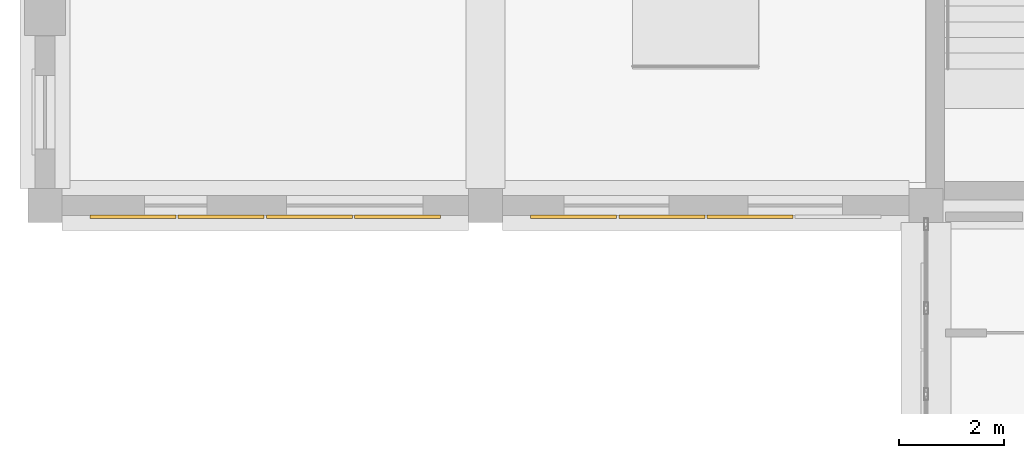
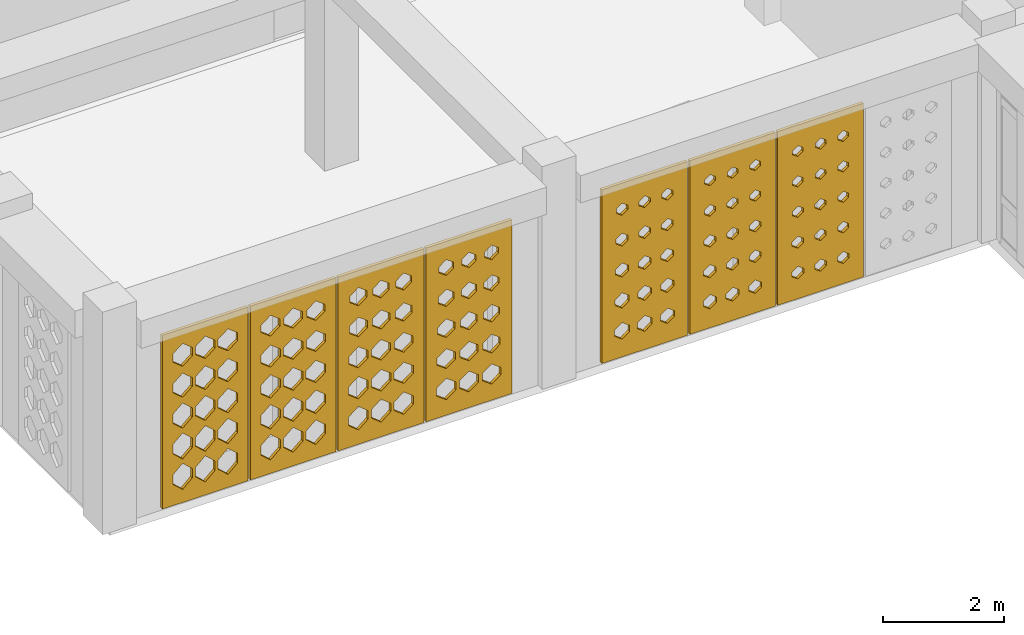
# One storey, part 52 of 79: 7 coverings.
"""IFC4 building model written with IfcOpenShell, lengths in metres."""

from ifc_helpers import new_model, si_unit, derived_unit, direction, frame, origin, place, context, subcontext, project, spatial, polyline, outline, extrude, material, layer, layer_set, type_object, element, save


model = new_model("IFC4")

# Units and contexts
model_context = context("Model", 3, precision=1e-05, world=origin(), true_north=direction((0.0, 1.0)))
body_context = subcontext(model_context, "Body", "Model", "MODEL_VIEW")
ifc_project = project(units=[si_unit("LENGTHUNIT", "METRE"), si_unit("AREAUNIT", "SQUARE_METRE"), si_unit("VOLUMEUNIT", "CUBIC_METRE"), si_unit("PLANEANGLEUNIT", "RADIAN"), si_unit("MASSUNIT", "GRAM", prefix="KILO"), derived_unit("THERMALTRANSMITTANCEUNIT", [(si_unit("POWERUNIT", "WATT"), 1), (si_unit("LENGTHUNIT", "METRE"), -2), (si_unit("THERMODYNAMICTEMPERATUREUNIT", "KELVIN"), -1)])], contexts=[model_context])

# Site, building, storey
site_placement = place(None, origin())
site = spatial("IfcSite", under=ifc_project, at=site_placement, CompositionType="ELEMENT")
building_placement = place(site_placement, origin())
building = spatial("IfcBuilding", under=site, at=building_placement, Name="Veybourne Emporium", CompositionType="ELEMENT")
storey_placement = place(building_placement, frame((0.0, 0.0, 18.89990234375)))
storey = spatial("IfcBuildingStorey", under=building, at=storey_placement, Name="L04", CompositionType="ELEMENT", Elevation=18.89990234375)

# Coverings
ifc_material = material(Name="Warm-White Perforated Aluminium Screen Alloy", Category="aluminium")
ifc_layer_1 = layer(ifc_material, 0.06005859375)
ifc_layer_set_1 = layer_set([ifc_layer_1], Name="Warm-White Perforated Aluminium Screen Alloy")
covering_type_1 = type_object("IfcCoveringType", Name="WaveScreen_SCR-01", PredefinedType="CLADDING", material=ifc_layer_set_1)
covering_1_placement = place(storey_placement, frame((3.360107421875, 14.15185546875, 1.815185546875), z_axis=(0.0, 1.0, 0.0), x_axis=(-1.0, 0.0, 0.0)))
element("IfcCovering", 1, at=covering_1_placement, inside=storey, type_object=covering_type_1, Name="L04 wave-perforated aluminium screen SCR-01 (1.3)", PredefinedType="CLADDING", context=body_context, shape_type="SweptSolid", body=[
    extrude(outline(polyline([(-0.81982421875, -1.7548828125), (0.81982421875, -1.7548828125), (0.81982421875, 1.7548828125), (-0.81982421875, 1.7548828125), (-0.81982421875, -1.7548828125)]), holes=[polyline([(-0.433349609375, -0.980224609375), (-0.2470703125, -1.138916015625), (-0.2470703125, -1.317138671875), (-0.433349609375, -1.4755859375), (-0.61962890625, -1.317138671875), (-0.61962890625, -1.138916015625), (-0.433349609375, -0.980224609375)]), polyline([(-0.433349609375, -0.377685546875), (-0.2470703125, -0.52880859375), (-0.2470703125, -0.69921875), (-0.433349609375, -0.850341796875), (-0.61962890625, -0.69921875), (-0.61962890625, -0.52880859375), (-0.433349609375, -0.377685546875)]), polyline([(-0.433349609375, 0.223876953125), (-0.2470703125, 0.08056640625), (-0.2470703125, -0.08056640625), (-0.433349609375, -0.223876953125), (-0.61962890625, -0.08056640625), (-0.61962890625, 0.08056640625), (-0.433349609375, 0.223876953125)]), polyline([(-0.433349609375, 0.82421875), (-0.251220703125, 0.689697265625), (-0.251220703125, 0.538330078125), (-0.433349609375, 0.40380859375), (-0.615478515625, 0.538330078125), (-0.615478515625, 0.689697265625), (-0.433349609375, 0.82421875)]), polyline([(-0.433349609375, 1.42431640625), (-0.2626953125, 1.298583984375), (-0.2626953125, 1.157470703125), (-0.433349609375, 1.03173828125), (-0.60400390625, 1.157470703125), (-0.60400390625, 1.298583984375), (-0.433349609375, 1.42431640625)]), polyline([(0.0, -0.9755859375), (0.186279296875, -1.13720703125), (0.186279296875, -1.31884765625), (0.0, -1.480224609375), (-0.186279296875, -1.31884765625), (-0.186279296875, -1.13720703125), (0.0, -0.9755859375)]), polyline([(0.0, -0.372314453125), (0.186279296875, -0.527099609375), (0.186279296875, -0.700927734375), (0.0, -0.855712890625), (-0.186279296875, -0.700927734375), (-0.186279296875, -0.527099609375), (0.0, -0.372314453125)]), polyline([(0.0, 0.2294921875), (0.186279296875, 0.082763671875), (0.186279296875, -0.082763671875), (0.0, -0.2294921875), (-0.186279296875, -0.082763671875), (-0.186279296875, 0.082763671875), (0.0, 0.2294921875)]), polyline([(0.0, 0.83056640625), (0.186279296875, 0.69189453125), (0.186279296875, 0.5361328125), (0.0, 0.3974609375), (-0.186279296875, 0.5361328125), (-0.186279296875, 0.69189453125), (0.0, 0.83056640625)]), polyline([(0.0, 1.4306640625), (0.17578125, 1.30078125), (0.17578125, 1.155029296875), (0.0, 1.025390625), (-0.17578125, 1.155029296875), (-0.17578125, 1.30078125), (0.0, 1.4306640625)]), polyline([(0.433349609375, -0.971435546875), (0.61962890625, -1.135498046875), (0.61962890625, -1.3203125), (0.433349609375, -1.484619140625), (0.2470703125, -1.3203125), (0.2470703125, -1.135498046875), (0.433349609375, -0.971435546875)]), polyline([(0.433349609375, -0.3671875), (0.61962890625, -0.525146484375), (0.61962890625, -0.702880859375), (0.433349609375, -0.860595703125), (0.2470703125, -0.702880859375), (0.2470703125, -0.525146484375), (0.433349609375, -0.3671875)]), polyline([(0.433349609375, 0.2353515625), (0.61962890625, 0.084716796875), (0.61962890625, -0.084716796875), (0.433349609375, -0.2353515625), (0.2470703125, -0.084716796875), (0.2470703125, 0.084716796875), (0.433349609375, 0.2353515625)]), polyline([(0.433349609375, 0.836669921875), (0.61962890625, 0.694091796875), (0.61962890625, 0.533935546875), (0.433349609375, 0.391357421875), (0.2470703125, 0.533935546875), (0.2470703125, 0.694091796875), (0.433349609375, 0.836669921875)]), polyline([(0.433349609375, 1.43701171875), (0.6142578125, 1.30322265625), (0.6142578125, 1.15283203125), (0.433349609375, 1.01904296875), (0.252197265625, 1.15283203125), (0.252197265625, 1.30322265625), (0.433349609375, 1.43701171875)])]), origin(), (0.0, 0.0, 1.0), 0.06005859375),
])
covering_2_placement = place(storey_placement, frame((10.080078125, 14.15185546875, 1.815185546875), z_axis=(0.0, 1.0, 0.0), x_axis=(-1.0, 0.0, 0.0)))
element("IfcCovering", 2, at=covering_2_placement, inside=storey, type_object=covering_type_1, Name="L04 wave-perforated aluminium screen SCR-01 (8.4)", PredefinedType="CLADDING", context=body_context, shape_type="SweptSolid", body=[
    extrude(outline(polyline([(-0.81982421875, -1.7548828125), (0.81982421875, -1.7548828125), (0.81982421875, 1.7548828125), (-0.81982421875, 1.7548828125), (-0.81982421875, -1.7548828125)]), holes=[polyline([(-0.433349609375, -1.073486328125), (-0.296875, -1.17236328125), (-0.296875, -1.28369140625), (-0.433349609375, -1.382568359375), (-0.56982421875, -1.28369140625), (-0.56982421875, -1.17236328125), (-0.433349609375, -1.073486328125)]), polyline([(-0.433349609375, -0.47119140625), (-0.306640625, -0.5625), (-0.306640625, -0.665283203125), (-0.433349609375, -0.756591796875), (-0.56005859375, -0.665283203125), (-0.56005859375, -0.5625), (-0.433349609375, -0.47119140625)]), polyline([(-0.433349609375, 0.132080078125), (-0.315185546875, 0.047607421875), (-0.315185546875, -0.047607421875), (-0.433349609375, -0.132080078125), (-0.551513671875, -0.047607421875), (-0.551513671875, 0.047607421875), (-0.433349609375, 0.132080078125)]), polyline([(-0.433349609375, 0.7373046875), (-0.322509765625, 0.658447265625), (-0.322509765625, 0.569580078125), (-0.433349609375, 0.490478515625), (-0.544189453125, 0.569580078125), (-0.544189453125, 0.658447265625), (-0.433349609375, 0.7373046875)]), polyline([(-0.433349609375, 1.3447265625), (-0.327880859375, 1.27001953125), (-0.327880859375, 1.18603515625), (-0.433349609375, 1.111328125), (-0.538818359375, 1.18603515625), (-0.538818359375, 1.27001953125), (-0.433349609375, 1.3447265625)]), polyline([(0.0, -1.0673828125), (0.141357421875, -1.170166015625), (0.141357421875, -1.285888671875), (0.0, -1.388427734375), (-0.141357421875, -1.285888671875), (-0.141357421875, -1.170166015625), (0.0, -1.0673828125)]), polyline([(0.0, -0.466064453125), (0.131103515625, -0.560791015625), (0.131103515625, -0.667236328125), (0.0, -0.761962890625), (-0.131103515625, -0.667236328125), (-0.131103515625, -0.560791015625), (0.0, -0.466064453125)]), polyline([(0.0, 0.13671875), (0.121826171875, 0.04931640625), (0.121826171875, -0.04931640625), (0.0, -0.13671875), (-0.121826171875, -0.04931640625), (-0.121826171875, 0.04931640625), (0.0, 0.13671875)]), polyline([(0.0, 0.7412109375), (0.114013671875, 0.659912109375), (0.114013671875, 0.568115234375), (0.0, 0.48681640625), (-0.114013671875, 0.568115234375), (-0.114013671875, 0.659912109375), (0.0, 0.7412109375)]), polyline([(0.0, 1.347412109375), (0.10791015625, 1.27099609375), (0.10791015625, 1.18505859375), (0.0, 1.1083984375), (-0.10791015625, 1.18505859375), (-0.10791015625, 1.27099609375), (0.0, 1.347412109375)]), polyline([(0.433349609375, -1.0615234375), (0.57958984375, -1.168212890625), (0.57958984375, -1.287841796875), (0.433349609375, -1.39453125), (0.287109375, -1.287841796875), (0.287109375, -1.168212890625), (0.433349609375, -1.0615234375)]), polyline([(0.433349609375, -0.46044921875), (0.56884765625, -0.55859375), (0.56884765625, -0.669189453125), (0.433349609375, -0.767578125), (0.2978515625, -0.669189453125), (0.2978515625, -0.55859375), (0.433349609375, -0.46044921875)]), polyline([(0.433349609375, 0.1416015625), (0.55908203125, 0.051025390625), (0.55908203125, -0.051025390625), (0.433349609375, -0.1416015625), (0.3076171875, -0.051025390625), (0.3076171875, 0.051025390625), (0.433349609375, 0.1416015625)]), polyline([(0.433349609375, 0.745361328125), (0.55078125, 0.661376953125), (0.55078125, 0.566650390625), (0.433349609375, 0.482666015625), (0.31591796875, 0.566650390625), (0.31591796875, 0.661376953125), (0.433349609375, 0.745361328125)]), polyline([(0.433349609375, 1.3505859375), (0.543701171875, 1.272216796875), (0.543701171875, 1.183837890625), (0.433349609375, 1.105224609375), (0.322998046875, 1.183837890625), (0.322998046875, 1.272216796875), (0.433349609375, 1.3505859375)])]), origin(), (0.0, 0.0, 1.0), 0.06005859375),
])
ifc_layer_2 = layer(ifc_material, 0.06005859375)
ifc_layer_set_2 = layer_set([ifc_layer_2], Name="Warm-White Perforated Aluminium Screen Alloy")
covering_type_2 = type_object("IfcCoveringType", Name="WaveScreen_SCR-02", PredefinedType="CLADDING", material=ifc_layer_set_2)
covering_3_placement = place(storey_placement, frame((1.679931640625, 14.15185546875, 1.815185546875), z_axis=(0.0, 1.0, 0.0), x_axis=(-1.0, 0.0, 0.0)))
element("IfcCovering", 3, at=covering_3_placement, inside=storey, type_object=covering_type_2, Name="L04 wave-perforated aluminium screen SCR-02 (1.4)", PredefinedType="CLADDING", context=body_context, shape_type="SweptSolid", body=[
    extrude(outline(polyline([(-0.81982421875, -1.7548828125), (0.81982421875, -1.7548828125), (0.81982421875, 1.7548828125), (-0.81982421875, 1.7548828125), (-0.81982421875, -1.7548828125)]), holes=[polyline([(-0.433349609375, -0.964599609375), (-0.2470703125, -1.13330078125), (-0.2470703125, -1.32275390625), (-0.433349609375, -1.491455078125), (-0.61962890625, -1.32275390625), (-0.61962890625, -1.13330078125), (-0.433349609375, -0.964599609375)]), polyline([(-0.433349609375, -0.35888671875), (-0.2470703125, -0.522216796875), (-0.2470703125, -0.705810546875), (-0.433349609375, -0.869140625), (-0.61962890625, -0.705810546875), (-0.61962890625, -0.522216796875), (-0.433349609375, -0.35888671875)]), polyline([(-0.433349609375, 0.2451171875), (-0.2470703125, 0.088134765625), (-0.2470703125, -0.088134765625), (-0.433349609375, -0.2451171875), (-0.61962890625, -0.088134765625), (-0.61962890625, 0.088134765625), (-0.433349609375, 0.2451171875)]), polyline([(-0.433349609375, 0.847412109375), (-0.2470703125, 0.697998046875), (-0.2470703125, 0.530029296875), (-0.433349609375, 0.380615234375), (-0.61962890625, 0.530029296875), (-0.61962890625, 0.697998046875), (-0.433349609375, 0.847412109375)]), polyline([(-0.433349609375, 1.448486328125), (-0.2470703125, 1.307373046875), (-0.2470703125, 1.148681640625), (-0.433349609375, 1.00732421875), (-0.61962890625, 1.148681640625), (-0.61962890625, 1.307373046875), (-0.433349609375, 1.448486328125)]), polyline([(0.0, -0.964111328125), (0.186279296875, -1.133056640625), (0.186279296875, -1.322998046875), (0.0, -1.491943359375), (-0.186279296875, -1.322998046875), (-0.186279296875, -1.133056640625), (0.0, -0.964111328125)]), polyline([(0.0, -0.354736328125), (0.186279296875, -0.520751953125), (0.186279296875, -0.707275390625), (0.0, -0.873291015625), (-0.186279296875, -0.707275390625), (-0.186279296875, -0.520751953125), (0.0, -0.354736328125)]), polyline([(0.0, 0.25), (0.186279296875, 0.090087890625), (0.186279296875, -0.090087890625), (0.0, -0.25), (-0.186279296875, -0.090087890625), (-0.186279296875, 0.090087890625), (0.0, 0.25)]), polyline([(0.0, 0.852783203125), (0.186279296875, 0.699951171875), (0.186279296875, 0.528076171875), (0.0, 0.375), (-0.186279296875, 0.528076171875), (-0.186279296875, 0.699951171875), (0.0, 0.852783203125)]), polyline([(0.0, 1.45458984375), (0.186279296875, 1.3095703125), (0.186279296875, 1.146484375), (0.0, 1.00146484375), (-0.186279296875, 1.146484375), (-0.186279296875, 1.3095703125), (0.0, 1.45458984375)]), polyline([(0.433349609375, -0.964111328125), (0.61962890625, -1.133056640625), (0.61962890625, -1.322998046875), (0.433349609375, -1.491943359375), (0.2470703125, -1.322998046875), (0.2470703125, -1.133056640625), (0.433349609375, -0.964111328125)]), polyline([(0.433349609375, -0.351318359375), (0.61962890625, -0.519287109375), (0.61962890625, -0.70849609375), (0.433349609375, -0.876708984375), (0.2470703125, -0.70849609375), (0.2470703125, -0.519287109375), (0.433349609375, -0.351318359375)]), polyline([(0.433349609375, 0.25439453125), (0.61962890625, 0.091552734375), (0.61962890625, -0.091552734375), (0.433349609375, -0.25439453125), (0.2470703125, -0.091552734375), (0.2470703125, 0.091552734375), (0.433349609375, 0.25439453125)]), polyline([(0.433349609375, 0.858154296875), (0.61962890625, 0.701904296875), (0.61962890625, 0.526123046875), (0.433349609375, 0.369873046875), (0.2470703125, 0.526123046875), (0.2470703125, 0.701904296875), (0.433349609375, 0.858154296875)]), polyline([(0.433349609375, 1.460205078125), (0.61962890625, 1.3115234375), (0.61962890625, 1.144287109375), (0.433349609375, 0.99560546875), (0.2470703125, 1.144287109375), (0.2470703125, 1.3115234375), (0.433349609375, 1.460205078125)])]), origin(), (0.0, 0.0, 1.0), 0.06005859375),
])
ifc_layer_3 = layer(ifc_material, 0.06005859375)
ifc_layer_set_3 = layer_set([ifc_layer_3], Name="Warm-White Perforated Aluminium Screen Alloy")
covering_type_3 = type_object("IfcCoveringType", Name="WaveScreen_SCR-03", PredefinedType="CLADDING", material=ifc_layer_set_3)
covering_4_placement = place(storey_placement, frame((6.719970703125, 14.15185546875, 1.815185546875), z_axis=(0.0, 1.0, 0.0), x_axis=(-1.0, 0.0, 0.0)))
element("IfcCovering", 4, at=covering_4_placement, inside=storey, type_object=covering_type_3, Name="L04 wave-perforated aluminium screen SCR-03 (1.1)", PredefinedType="CLADDING", context=body_context, shape_type="SweptSolid", body=[
    extrude(outline(polyline([(-0.81982421875, -1.7548828125), (0.81982421875, -1.7548828125), (0.81982421875, 1.7548828125), (-0.81982421875, 1.7548828125), (-0.81982421875, -1.7548828125)]), holes=[polyline([(-0.433349609375, -1.02490234375), (-0.257080078125, -1.15478515625), (-0.257080078125, -1.301025390625), (-0.433349609375, -1.430908203125), (-0.609619140625, -1.301025390625), (-0.609619140625, -1.15478515625), (-0.433349609375, -1.02490234375)]), polyline([(-0.433349609375, -0.425048828125), (-0.268798828125, -0.5458984375), (-0.268798828125, -0.681884765625), (-0.433349609375, -0.802978515625), (-0.597900390625, -0.681884765625), (-0.597900390625, -0.5458984375), (-0.433349609375, -0.425048828125)]), polyline([(-0.433349609375, 0.1748046875), (-0.2802734375, 0.06298828125), (-0.2802734375, -0.06298828125), (-0.433349609375, -0.1748046875), (-0.58642578125, -0.06298828125), (-0.58642578125, 0.06298828125), (-0.433349609375, 0.1748046875)]), polyline([(-0.433349609375, 0.775390625), (-0.29150390625, 0.672119140625), (-0.29150390625, 0.555908203125), (-0.433349609375, 0.45263671875), (-0.5751953125, 0.555908203125), (-0.5751953125, 0.672119140625), (-0.433349609375, 0.775390625)]), polyline([(-0.433349609375, 1.376708984375), (-0.3017578125, 1.281494140625), (-0.3017578125, 1.174560546875), (-0.433349609375, 1.079345703125), (-0.56494140625, 1.174560546875), (-0.56494140625, 1.281494140625), (-0.433349609375, 1.376708984375)]), polyline([(0.0, -1.0185546875), (0.181396484375, -1.152587890625), (0.181396484375, -1.303466796875), (0.0, -1.4375), (-0.181396484375, -1.303466796875), (-0.181396484375, -1.152587890625), (0.0, -1.0185546875)]), polyline([(0.0, -0.418701171875), (0.169921875, -0.543701171875), (0.169921875, -0.684326171875), (0.0, -0.809326171875), (-0.169921875, -0.684326171875), (-0.169921875, -0.543701171875), (0.0, -0.418701171875)]), polyline([(0.0, 0.18115234375), (0.158203125, 0.065185546875), (0.158203125, -0.065185546875), (0.0, -0.18115234375), (-0.158203125, -0.065185546875), (-0.158203125, 0.065185546875), (0.0, 0.18115234375)]), polyline([(0.0, 0.781494140625), (0.14697265625, 0.67431640625), (0.14697265625, 0.5537109375), (0.0, 0.446533203125), (-0.14697265625, 0.5537109375), (-0.14697265625, 0.67431640625), (0.0, 0.781494140625)]), polyline([(0.0, 1.38232421875), (0.13623046875, 1.283447265625), (0.13623046875, 1.172607421875), (0.0, 1.07373046875), (-0.13623046875, 1.172607421875), (-0.13623046875, 1.283447265625), (0.0, 1.38232421875)]), polyline([(0.433349609375, -1.012451171875), (0.61962890625, -1.150390625), (0.61962890625, -1.3056640625), (0.433349609375, -1.443603515625), (0.2470703125, -1.3056640625), (0.2470703125, -1.150390625), (0.433349609375, -1.012451171875)]), polyline([(0.433349609375, -0.412353515625), (0.6083984375, -0.54150390625), (0.6083984375, -0.6865234375), (0.433349609375, -0.815673828125), (0.25830078125, -0.6865234375), (0.25830078125, -0.54150390625), (0.433349609375, -0.412353515625)]), polyline([(0.433349609375, 0.1875), (0.5966796875, 0.0673828125), (0.5966796875, -0.0673828125), (0.433349609375, -0.1875), (0.27001953125, -0.0673828125), (0.27001953125, 0.0673828125), (0.433349609375, 0.1875)]), polyline([(0.433349609375, 0.78759765625), (0.585205078125, 0.676513671875), (0.585205078125, 0.551513671875), (0.433349609375, 0.4404296875), (0.28125, 0.551513671875), (0.28125, 0.676513671875), (0.433349609375, 0.78759765625)]), polyline([(0.433349609375, 1.38818359375), (0.57421875, 1.28564453125), (0.57421875, 1.17041015625), (0.433349609375, 1.06787109375), (0.292236328125, 1.17041015625), (0.292236328125, 1.28564453125), (0.433349609375, 1.38818359375)])]), origin(), (0.0, 0.0, 1.0), 0.06005859375),
])
covering_5_placement = place(storey_placement, frame((13.43994140625, 14.15185546875, 1.815185546875), z_axis=(0.0, 1.0, 0.0), x_axis=(-1.0, 0.0, 0.0)))
element("IfcCovering", 5, at=covering_5_placement, inside=storey, type_object=covering_type_3, Name="L04 wave-perforated aluminium screen SCR-03 (8.2)", PredefinedType="CLADDING", context=body_context, shape_type="SweptSolid", body=[
    extrude(outline(polyline([(-0.81982421875, -1.7548828125), (0.81982421875, -1.7548828125), (0.81982421875, 1.7548828125), (-0.81982421875, 1.7548828125), (-0.81982421875, -1.7548828125)]), holes=[polyline([(-0.433349609375, -1.1083984375), (-0.325439453125, -1.184814453125), (-0.325439453125, -1.27099609375), (-0.433349609375, -1.34765625), (-0.541259765625, -1.27099609375), (-0.541259765625, -1.184814453125), (-0.433349609375, -1.1083984375)]), polyline([(-0.433349609375, -0.5), (-0.330078125, -0.572998046875), (-0.330078125, -0.655029296875), (-0.433349609375, -0.72802734375), (-0.53662109375, -0.655029296875), (-0.53662109375, -0.572998046875), (-0.433349609375, -0.5)]), polyline([(-0.433349609375, 0.11083984375), (-0.33251953125, 0.039794921875), (-0.33251953125, -0.039794921875), (-0.433349609375, -0.11083984375), (-0.533935546875, -0.039794921875), (-0.533935546875, 0.039794921875), (-0.433349609375, 0.11083984375)]), polyline([(-0.433349609375, 0.72412109375), (-0.333251953125, 0.653564453125), (-0.333251953125, 0.574462890625), (-0.433349609375, 0.50390625), (-0.533447265625, 0.574462890625), (-0.533447265625, 0.653564453125), (-0.433349609375, 0.72412109375)]), polyline([(-0.433349609375, 1.339599609375), (-0.33203125, 1.268310546875), (-0.33203125, 1.187744140625), (-0.433349609375, 1.116455078125), (-0.53466796875, 1.187744140625), (-0.53466796875, 1.268310546875), (-0.433349609375, 1.339599609375)]), polyline([(0.0, -1.10498046875), (0.110595703125, -1.18359375), (0.110595703125, -1.272216796875), (0.0, -1.350830078125), (-0.110595703125, -1.272216796875), (-0.110595703125, -1.18359375), (0.0, -1.10498046875)]), polyline([(0.0, -0.49755859375), (0.105224609375, -0.572021484375), (0.105224609375, -0.656005859375), (0.0, -0.73046875), (-0.105224609375, -0.656005859375), (-0.105224609375, -0.572021484375), (0.0, -0.49755859375)]), polyline([(0.0, 0.112060546875), (0.101806640625, 0.040283203125), (0.101806640625, -0.040283203125), (0.0, -0.112060546875), (-0.101806640625, -0.040283203125), (-0.101806640625, 0.040283203125), (0.0, 0.112060546875)]), polyline([(0.0, 0.72412109375), (0.10009765625, 0.653564453125), (0.10009765625, 0.574462890625), (0.0, 0.50390625), (-0.10009765625, 0.574462890625), (-0.10009765625, 0.653564453125), (0.0, 0.72412109375)]), polyline([(0.0, 1.338623046875), (0.1005859375, 1.267822265625), (0.1005859375, 1.188232421875), (0.0, 1.117431640625), (-0.1005859375, 1.188232421875), (-0.1005859375, 1.267822265625), (0.0, 1.338623046875)]), polyline([(0.433349609375, -1.101318359375), (0.546875, -1.182373046875), (0.546875, -1.273681640625), (0.433349609375, -1.3544921875), (0.31982421875, -1.273681640625), (0.31982421875, -1.182373046875), (0.433349609375, -1.101318359375)]), polyline([(0.433349609375, -0.494873046875), (0.540771484375, -0.571044921875), (0.540771484375, -0.656982421875), (0.433349609375, -0.733154296875), (0.325927734375, -0.656982421875), (0.325927734375, -0.571044921875), (0.433349609375, -0.494873046875)]), polyline([(0.433349609375, 0.11376953125), (0.536376953125, 0.041015625), (0.536376953125, -0.041015625), (0.433349609375, -0.11376953125), (0.330322265625, -0.041015625), (0.330322265625, 0.041015625), (0.433349609375, 0.11376953125)]), polyline([(0.433349609375, 0.724609375), (0.533935546875, 0.65380859375), (0.533935546875, 0.57421875), (0.433349609375, 0.50341796875), (0.332763671875, 0.57421875), (0.332763671875, 0.65380859375), (0.433349609375, 0.724609375)]), polyline([(0.433349609375, 1.338134765625), (0.533447265625, 1.267578125), (0.533447265625, 1.1884765625), (0.433349609375, 1.117919921875), (0.333251953125, 1.1884765625), (0.333251953125, 1.267578125), (0.433349609375, 1.338134765625)])]), origin(), (0.0, 0.0, 1.0), 0.06005859375),
])
ifc_layer_4 = layer(ifc_material, 0.06005859375)
ifc_layer_set_4 = layer_set([ifc_layer_4], Name="Warm-White Perforated Aluminium Screen Alloy")
covering_type_4 = type_object("IfcCoveringType", Name="WaveScreen_SCR-04", PredefinedType="CLADDING", material=ifc_layer_set_4)
covering_6_placement = place(storey_placement, frame((5.0400390625, 14.15185546875, 1.815185546875), z_axis=(0.0, 1.0, 0.0), x_axis=(-1.0, 0.0, 0.0)))
element("IfcCovering", 6, at=covering_6_placement, inside=storey, type_object=covering_type_4, Name="L04 wave-perforated aluminium screen SCR-04 (1.2)", PredefinedType="CLADDING", context=body_context, shape_type="SweptSolid", body=[
    extrude(outline(polyline([(-0.81982421875, -1.7548828125), (0.81982421875, -1.7548828125), (0.81982421875, 1.7548828125), (-0.81982421875, 1.7548828125), (-0.81982421875, -1.7548828125)]), holes=[polyline([(-0.433349609375, -1.001220703125), (-0.2470703125, -1.146240234375), (-0.2470703125, -1.309814453125), (-0.433349609375, -1.454833984375), (-0.61962890625, -1.309814453125), (-0.61962890625, -1.146240234375), (-0.433349609375, -1.001220703125)]), polyline([(-0.433349609375, -0.400390625), (-0.24853515625, -0.537109375), (-0.24853515625, -0.69091796875), (-0.433349609375, -0.82763671875), (-0.6181640625, -0.69091796875), (-0.6181640625, -0.537109375), (-0.433349609375, -0.400390625)]), polyline([(-0.433349609375, 0.19970703125), (-0.260009765625, 0.072021484375), (-0.260009765625, -0.072021484375), (-0.433349609375, -0.19970703125), (-0.606689453125, -0.072021484375), (-0.606689453125, 0.072021484375), (-0.433349609375, 0.19970703125)]), polyline([(-0.433349609375, 0.799560546875), (-0.271484375, 0.680908203125), (-0.271484375, 0.547119140625), (-0.433349609375, 0.428466796875), (-0.59521484375, 0.547119140625), (-0.59521484375, 0.680908203125), (-0.433349609375, 0.799560546875)]), polyline([(-0.433349609375, 1.3994140625), (-0.282958984375, 1.289794921875), (-0.282958984375, 1.166259765625), (-0.433349609375, 1.056396484375), (-0.583740234375, 1.166259765625), (-0.583740234375, 1.289794921875), (-0.433349609375, 1.3994140625)]), polyline([(0.0, -0.995361328125), (0.186279296875, -1.144287109375), (0.186279296875, -1.311767578125), (0.0, -1.460693359375), (-0.186279296875, -1.311767578125), (-0.186279296875, -1.144287109375), (0.0, -0.995361328125)]), polyline([(0.0, -0.394287109375), (0.186279296875, -0.534912109375), (0.186279296875, -0.693115234375), (0.0, -0.833740234375), (-0.186279296875, -0.693115234375), (-0.186279296875, -0.534912109375), (0.0, -0.394287109375)]), polyline([(0.0, 0.2060546875), (0.1787109375, 0.07421875), (0.1787109375, -0.07421875), (0.0, -0.2060546875), (-0.1787109375, -0.07421875), (-0.1787109375, 0.07421875), (0.0, 0.2060546875)]), polyline([(0.0, 0.805908203125), (0.1669921875, 0.68310546875), (0.1669921875, 0.544921875), (0.0, 0.422119140625), (-0.1669921875, 0.544921875), (-0.1669921875, 0.68310546875), (0.0, 0.805908203125)]), polyline([(0.0, 1.40576171875), (0.155517578125, 1.2919921875), (0.155517578125, 1.1640625), (0.0, 1.05029296875), (-0.155517578125, 1.1640625), (-0.155517578125, 1.2919921875), (0.0, 1.40576171875)]), polyline([(0.433349609375, -0.98974609375), (0.61962890625, -1.142333984375), (0.61962890625, -1.313720703125), (0.433349609375, -1.46630859375), (0.2470703125, -1.313720703125), (0.2470703125, -1.142333984375), (0.433349609375, -0.98974609375)]), polyline([(0.433349609375, -0.38818359375), (0.61962890625, -0.53271484375), (0.61962890625, -0.6953125), (0.433349609375, -0.839599609375), (0.2470703125, -0.6953125), (0.2470703125, -0.53271484375), (0.433349609375, -0.38818359375)]), polyline([(0.433349609375, 0.21240234375), (0.616943359375, 0.076416015625), (0.616943359375, -0.076416015625), (0.433349609375, -0.21240234375), (0.24951171875, -0.076416015625), (0.24951171875, 0.076416015625), (0.433349609375, 0.21240234375)]), polyline([(0.433349609375, 0.812255859375), (0.605712890625, 0.685302734375), (0.605712890625, 0.54248046875), (0.433349609375, 0.415771484375), (0.260986328125, 0.54248046875), (0.260986328125, 0.685302734375), (0.433349609375, 0.812255859375)]), polyline([(0.433349609375, 1.412109375), (0.593994140625, 1.294189453125), (0.593994140625, 1.16162109375), (0.433349609375, 1.043701171875), (0.272705078125, 1.16162109375), (0.272705078125, 1.294189453125), (0.433349609375, 1.412109375)])]), origin(), (0.0, 0.0, 1.0), 0.06005859375),
])
covering_7_placement = place(storey_placement, frame((11.760009765625, 14.15185546875, 1.815185546875), z_axis=(0.0, 1.0, 0.0), x_axis=(-1.0, 0.0, 0.0)))
element("IfcCovering", 7, at=covering_7_placement, inside=storey, type_object=covering_type_4, Name="L04 wave-perforated aluminium screen SCR-04 (8.3)", PredefinedType="CLADDING", context=body_context, shape_type="SweptSolid", body=[
    extrude(outline(polyline([(-0.81982421875, -1.7548828125), (0.81982421875, -1.7548828125), (0.81982421875, 1.7548828125), (-0.81982421875, 1.7548828125), (-0.81982421875, -1.7548828125)]), holes=[polyline([(-0.433349609375, -1.093505859375), (-0.313232421875, -1.1796875), (-0.313232421875, -1.2763671875), (-0.433349609375, -1.362548828125), (-0.553466796875, -1.2763671875), (-0.553466796875, -1.1796875), (-0.433349609375, -1.093505859375)]), polyline([(-0.433349609375, -0.48876953125), (-0.32080078125, -0.56884765625), (-0.32080078125, -0.6591796875), (-0.433349609375, -0.7392578125), (-0.5458984375, -0.6591796875), (-0.5458984375, -0.56884765625), (-0.433349609375, -0.48876953125)]), polyline([(-0.433349609375, 0.1181640625), (-0.32666015625, 0.04248046875), (-0.32666015625, -0.04248046875), (-0.433349609375, -0.1181640625), (-0.5400390625, -0.04248046875), (-0.5400390625, 0.04248046875), (-0.433349609375, 0.1181640625)]), polyline([(-0.433349609375, 0.72705078125), (-0.330810546875, 0.65478515625), (-0.330810546875, 0.5732421875), (-0.433349609375, 0.5009765625), (-0.535888671875, 0.5732421875), (-0.535888671875, 0.65478515625), (-0.433349609375, 0.72705078125)]), polyline([(-0.433349609375, 1.33837890625), (-0.3330078125, 1.267822265625), (-0.3330078125, 1.188232421875), (-0.433349609375, 1.11767578125), (-0.53369140625, 1.188232421875), (-0.53369140625, 1.267822265625), (-0.433349609375, 1.33837890625)]), polyline([(0.0, -1.088623046875), (0.1240234375, -1.177978515625), (0.1240234375, -1.278076171875), (0.0, -1.3671875), (-0.1240234375, -1.278076171875), (-0.1240234375, -1.177978515625), (0.0, -1.088623046875)]), polyline([(0.0, -0.484619140625), (0.11572265625, -0.5673828125), (0.11572265625, -0.660400390625), (0.0, -0.743408203125), (-0.11572265625, -0.660400390625), (-0.11572265625, -0.5673828125), (0.0, -0.484619140625)]), polyline([(0.0, 0.12109375), (0.109130859375, 0.043701171875), (0.109130859375, -0.043701171875), (0.0, -0.12109375), (-0.109130859375, -0.043701171875), (-0.109130859375, 0.043701171875), (0.0, 0.12109375)]), polyline([(0.0, 0.72900390625), (0.104248046875, 0.655517578125), (0.104248046875, 0.572509765625), (0.0, 0.498779296875), (-0.104248046875, 0.572509765625), (-0.104248046875, 0.655517578125), (0.0, 0.72900390625)]), polyline([(0.0, 1.33935546875), (0.10107421875, 1.26806640625), (0.10107421875, 1.18798828125), (0.0, 1.11669921875), (-0.10107421875, 1.18798828125), (-0.10107421875, 1.26806640625), (0.0, 1.33935546875)]), polyline([(0.433349609375, -1.08349609375), (0.561279296875, -1.176025390625), (0.561279296875, -1.280029296875), (0.433349609375, -1.372314453125), (0.30517578125, -1.280029296875), (0.30517578125, -1.176025390625), (0.433349609375, -1.08349609375)]), polyline([(0.433349609375, -0.48046875), (0.552490234375, -0.56591796875), (0.552490234375, -0.662109375), (0.433349609375, -0.74755859375), (0.31396484375, -0.662109375), (0.31396484375, -0.56591796875), (0.433349609375, -0.48046875)]), polyline([(0.433349609375, 0.12451171875), (0.54541015625, 0.044921875), (0.54541015625, -0.044921875), (0.433349609375, -0.12451171875), (0.3212890625, -0.044921875), (0.3212890625, 0.044921875), (0.433349609375, 0.12451171875)]), polyline([(0.433349609375, 0.731689453125), (0.53955078125, 0.65625), (0.53955078125, 0.57177734375), (0.433349609375, 0.496337890625), (0.3271484375, 0.57177734375), (0.3271484375, 0.65625), (0.433349609375, 0.731689453125)]), polyline([(0.433349609375, 1.3408203125), (0.53564453125, 1.2685546875), (0.53564453125, 1.1875), (0.433349609375, 1.115234375), (0.3310546875, 1.1875), (0.3310546875, 1.2685546875), (0.433349609375, 1.3408203125)])]), origin(), (0.0, 0.0, 1.0), 0.06005859375),
])

save(model, "model.ifc")
